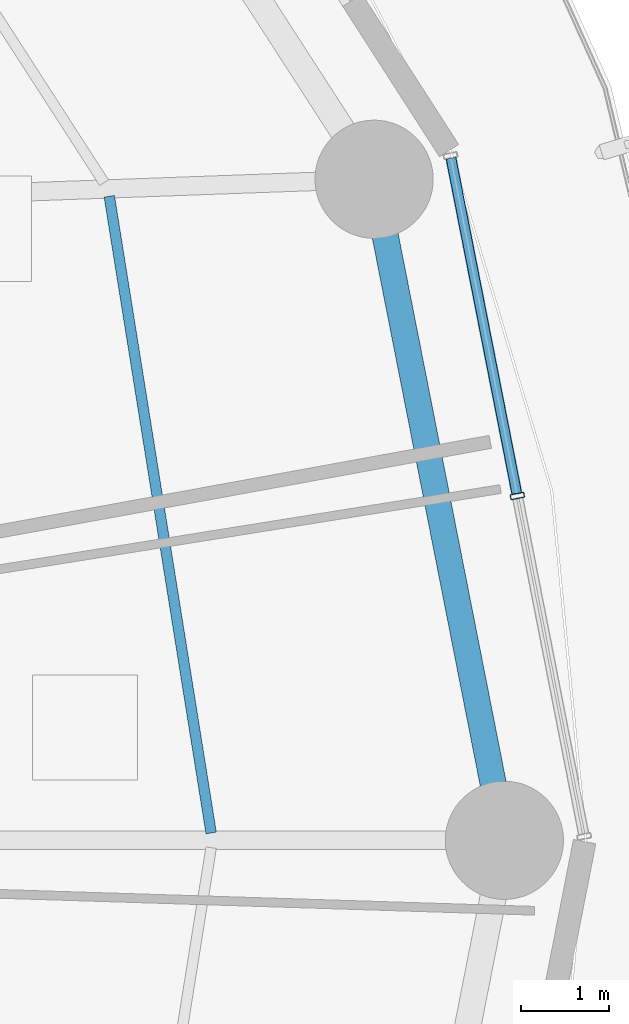
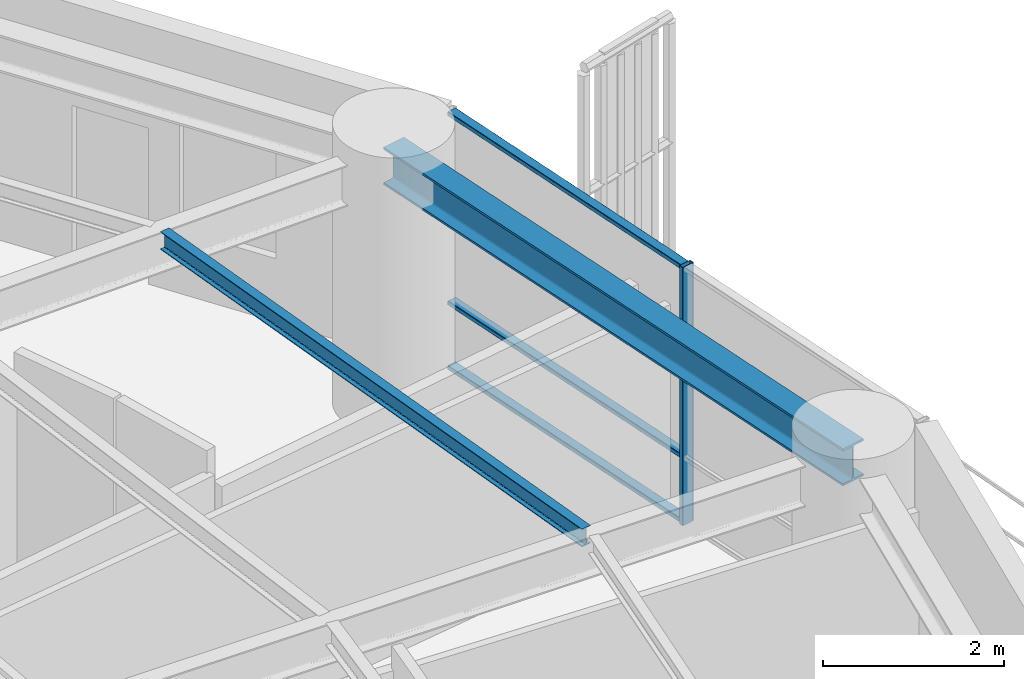
# One storey, part 14 of 33: 4 members, 2 beams, 1 element without a shape of its own.
"""IFC4 building model written with IfcOpenShell, lengths in metres."""

import ifcopenshell
import ifcopenshell.guid

model = None  # the IFC model being written
_history = None  # IfcOwnerHistory: only IFC2X3 demands one
_inside = {}  # id of a spatial element -> (the spatial element, [elements in it])
_under = {}  # id of a project, library or spatial element -> (it, [spatial elements below it])
_declared = {}  # id of a project -> (the project, [libraries it declares])
_typed = {}  # id of a type object -> (the type object, [elements of that type])
_made_of = {}  # id of a material, layer set ... -> (it, [elements and type objects made of it])


def new_model(schema):
    """Start an empty IFC model of exactly this schema.

    Asked for "IFC4X3", IfcOpenShell would pick the latest addendum, in which some entities
    have other attributes; the version numbers below select the first issue.
    IFC2X3 requires an IfcOwnerHistory on every rooted entity: one is made here for all.
    """
    global model, _history
    if schema == "IFC4X3":
        model = ifcopenshell.file(schema_version=(4, 3, 0, 0))
    else:
        model = ifcopenshell.file(schema=schema)
    _inside.clear()
    _under.clear()
    _declared.clear()
    _typed.clear()
    _made_of.clear()
    _history = None
    if model.schema == "IFC2X3":
        org = make("IfcOrganization", Name="unknown")
        user = make(
            "IfcPersonAndOrganization",
            ThePerson=make("IfcPerson", FamilyName="unknown"),
            TheOrganization=org,
        )
        app = make(
            "IfcApplication",
            ApplicationDeveloper=org,
            Version="unknown",
            ApplicationFullName="unknown",
            ApplicationIdentifier="unknown",
        )
        _history = make(
            "IfcOwnerHistory",
            OwningUser=user,
            OwningApplication=app,
            ChangeAction="ADDED",
            CreationDate=0,
        )
    return model


def make(cls, **values):
    """One entity of the class cls with the attributes given. An attribute that is None is left unset."""
    return model.create_entity(
        cls, **{name: value for name, value in values.items() if value is not None}
    )


def rooted(cls, **values):
    """An entity with a GlobalId (a new one), such as an element, a storey or a relation."""
    return make(cls, GlobalId=ifcopenshell.guid.new(), OwnerHistory=_history, **values)


def si_unit(unit_type, name, prefix=None):
    """IfcSIUnit, for example si_unit("LENGTHUNIT", "METRE", prefix="MILLI")."""
    return make("IfcSIUnit", UnitType=unit_type, Prefix=prefix, Name=name)


def assignment(units):
    """IfcUnitAssignment: the units of a project."""
    return None if units is None else make("IfcUnitAssignment", Units=units)


def point(xyz):
    """IfcCartesianPoint."""
    return None if xyz is None else make("IfcCartesianPoint", Coordinates=xyz)


def direction(xyz):
    """IfcDirection."""
    return None if xyz is None else make("IfcDirection", DirectionRatios=xyz)


def frame(location, z_axis=None, x_axis=None):
    """IfcAxis2Placement3D, a coordinate frame: its origin and axes. An axis left out is left unset."""
    return make(
        "IfcAxis2Placement3D",
        Location=point(location),
        Axis=direction(z_axis),
        RefDirection=direction(x_axis),
    )


def frame_2d(location, x_axis=None):
    """IfcAxis2Placement2D, a coordinate frame in the plane: its origin and x axis."""
    return make(
        "IfcAxis2Placement2D", Location=point(location), RefDirection=direction(x_axis)
    )


def origin():
    """The frame at (0, 0, 0) with its axes left unset."""
    return frame((0.0, 0.0, 0.0))


def origin_2d():
    """The frame at (0, 0) in the plane with its x axis left unset."""
    return frame_2d((0.0, 0.0))


def place(relative_to, where):
    """IfcLocalPlacement: puts the frame where relative to a parent placement (None: the world)."""
    return make(
        "IfcLocalPlacement", PlacementRelTo=relative_to, RelativePlacement=where
    )


def context(
    kind, dimensions, precision=None, world=None, true_north=None, identifier=None
):
    """IfcGeometricRepresentationContext, for example the 3D "Model" context."""
    return make(
        "IfcGeometricRepresentationContext",
        ContextIdentifier=identifier,
        ContextType=kind,
        CoordinateSpaceDimension=dimensions,
        Precision=precision,
        WorldCoordinateSystem=world,
        TrueNorth=true_north,
    )


def subcontext(parent, identifier, kind, view, scale=None):
    """IfcGeometricRepresentationSubContext, for example "Body" below "Model"."""
    return make(
        "IfcGeometricRepresentationSubContext",
        ContextIdentifier=identifier,
        ContextType=kind,
        ParentContext=parent,
        TargetScale=scale,
        TargetView=view,
    )


def project(units=None, contexts=None):
    """IfcProject with its units and contexts."""
    return rooted(
        "IfcProject",
        Name="project",
        RepresentationContexts=contexts,
        UnitsInContext=assignment(units),
    )


def spatial(cls, under=None, at=None, **own):
    """A site, building, storey or space (cls), placed at a placement, below another one or the project."""
    s = rooted(cls, ObjectPlacement=at, **own)
    if under is not None:
        _under.setdefault(under.id(), (under, []))[1].append(s)
    return s


def profile(cls, at=None, kind="AREA", **sizes):
    """A parametric profile (cls). Its sizes go by their IFC names, for example OverallWidth=200.0."""
    return make(cls, ProfileType=kind, Position=at, **sizes)


def hollow_rectangle(**sizes):
    """IfcRectangleHollowProfileDef."""
    return profile("IfcRectangleHollowProfileDef", **sizes)


def i_section(**sizes):
    """IfcIShapeProfileDef."""
    return profile("IfcIShapeProfileDef", **sizes)


def extrude(swept, where, along, depth):
    """IfcExtrudedAreaSolid: the profile swept, set in the frame where, extruded along a direction by depth."""
    return make(
        "IfcExtrudedAreaSolid",
        SweptArea=swept,
        Position=where,
        ExtrudedDirection=direction(along),
        Depth=depth,
    )


def shape(context_of_items, identifier, shape_type, items):
    """IfcShapeRepresentation: the items that make up one representation, for example the "Body"."""
    return make(
        "IfcShapeRepresentation",
        ContextOfItems=context_of_items,
        RepresentationIdentifier=identifier,
        RepresentationType=shape_type,
        Items=items,
    )


def material(Name=None, Category=None):
    """IfcMaterial."""
    return make("IfcMaterial", Name=Name, Category=Category)


def layer(
    of_material, thickness, ventilated=None, Name=None, Category=None, Priority=None
):
    """IfcMaterialLayer: one layer of a wall or slab, of a material (None: an air gap)."""
    return make(
        "IfcMaterialLayer",
        Material=of_material,
        LayerThickness=thickness,
        IsVentilated=ventilated,
        Name=Name,
        Category=Category,
        Priority=Priority,
    )


def layer_set(layers, Name=None):
    """IfcMaterialLayerSet."""
    return make("IfcMaterialLayerSet", MaterialLayers=layers, LayerSetName=Name)


def material_profile(
    of_material, cross_section, Name=None, Category=None, Priority=None
):
    """IfcMaterialProfile: a cross section and its material."""
    return make(
        "IfcMaterialProfile",
        Name=Name,
        Material=of_material,
        Profile=cross_section,
        Priority=Priority,
        Category=Category,
    )


def profile_set(profiles, Name=None, composite=None):
    """IfcMaterialProfileSet."""
    return make(
        "IfcMaterialProfileSet",
        Name=Name,
        MaterialProfiles=profiles,
        CompositeProfile=composite,
    )


def made_of(thing, what):
    """Note that an element or type object is made of a material, layer set ...; save() writes the relation."""
    if what is not None:
        _made_of.setdefault(what.id(), (what, []))[1].append(thing)
    return thing


def type_object(cls, material=None, **own):
    """A type object (cls), such as IfcWallType, which elements share."""
    return made_of(rooted(cls, **own), material)


def element(
    cls,
    number,
    at=None,
    inside=None,
    cuts=None,
    type_object=None,
    material=None,
    context=None,
    identifier="Body",
    shape_type=None,
    held_by="IfcProductDefinitionShape",
    body=None,
    shapes=None,
    **own,
):
    """One element of the class cls, such as IfcWall. Its Tag is "e" and its number.

    at: its placement. inside: the storey or other place that contains it. cuts: it is an
    opening in that element (IfcRelVoidsElement). A single representation is given by context,
    identifier, shape_type and body (its items); several are given by shapes. held_by: the class
    of the entity that holds the representations. save() writes the other relations.
    """
    e = rooted(cls, Tag="e%d" % number, ObjectPlacement=at, **own)
    if body is not None:
        shapes = [shape(context, identifier, shape_type, body)]
    if shapes is not None:
        e.Representation = make(held_by, Representations=shapes)
    if inside is not None:
        _inside.setdefault(inside.id(), (inside, []))[1].append(e)
    if cuts is not None:
        rooted(
            "IfcRelVoidsElement", RelatingBuildingElement=cuts, RelatedOpeningElement=e
        )
    if type_object is not None:
        _typed.setdefault(type_object.id(), (type_object, []))[1].append(e)
    return made_of(e, material)


def aggregate(whole, parts):
    """IfcRelAggregates: a whole, such as a stair, and the parts it consists of."""
    return rooted("IfcRelAggregates", RelatingObject=whole, RelatedObjects=parts)


def save(model, path):
    """Write the relations noted so far, then the file.

    IfcRelAggregates (storeys below a building ...), IfcRelContainedInSpatialStructure (elements
    in a storey), IfcRelDefinesByType, IfcRelAssociatesMaterial and IfcRelDeclares: one each for
    every whole, place, type object, material and project.
    """
    for whole, parts in _under.values():
        aggregate(whole, parts)
    for where, things in _inside.values():
        rooted(
            "IfcRelContainedInSpatialStructure",
            RelatedElements=things,
            RelatingStructure=where,
        )
    for kind, things in _typed.values():
        rooted("IfcRelDefinesByType", RelatedObjects=things, RelatingType=kind)
    for what, things in _made_of.values():
        rooted("IfcRelAssociatesMaterial", RelatedObjects=things, RelatingMaterial=what)
    for by, libraries in _declared.values():
        rooted("IfcRelDeclares", RelatingContext=by, RelatedDefinitions=libraries)
    model.write(path)


model = new_model("IFC4")

# Units and contexts
model_context = context("Model", 3, precision=1e-05, world=origin(), true_north=direction((0.0, 1.0)))
body_context = subcontext(model_context, "Body", "Model", "MODEL_VIEW")
ifc_project = project(units=[si_unit("LENGTHUNIT", "METRE"), si_unit("AREAUNIT", "SQUARE_METRE"), si_unit("VOLUMEUNIT", "CUBIC_METRE"), si_unit("PLANEANGLEUNIT", "RADIAN"), si_unit("MASSUNIT", "GRAM", prefix="KILO")], contexts=[model_context])

# Site, building, storey
site_placement = place(None, origin())
site = spatial("IfcSite", under=ifc_project, at=site_placement, CompositionType="ELEMENT")
building_placement = place(site_placement, origin())
building = spatial("IfcBuilding", under=site, at=building_placement, Name="Kelanora Arch Commons", CompositionType="ELEMENT")
storey_placement = place(building_placement, frame((0.0, 0.0, 80.10009765625)))
storey = spatial("IfcBuildingStorey", under=building, at=storey_placement, Name="L20", CompositionType="ELEMENT", Elevation=80.10009765625)

# Beams
ifc_material_1 = material(Name="Steel S355", Category="steel")
ifc_material_profile_1 = material_profile(ifc_material_1, i_section(OverallWidth=0.1201171875, OverallDepth=0.239990234375, WebThickness=0.006103515625, FlangeThickness=0.009765625, FilletRadius=0.014892578125, at=origin_2d()), Name="IPE240")
ifc_profile_set_1 = profile_set([ifc_material_profile_1], Name="Steel S355")
beam_type_1 = type_object("IfcBeamType", Name="BM-JST-02", PredefinedType="JOIST", material=ifc_profile_set_1)
beam_1_placement = place(storey_placement, frame((95.33056640625, 58.083984375, 3.369873046875), z_axis=(-0.157999549894, 0.987439184068, 0.0), x_axis=(-0.987439184068, -0.157999549894, 0.0)))
element("IfcBeam", 1, at=beam_1_placement, inside=storey, type_object=beam_type_1, Name="Secondary Chord Joist BJC-00 L20", PredefinedType="JOIST", context=body_context, shape_type="SweptSolid", body=[
    extrude(i_section(OverallWidth=0.1201171875, OverallDepth=0.239990234375, WebThickness=0.006103515625, FlangeThickness=0.009765625, FilletRadius=0.014892578125, at=origin_2d()), origin(), (0.0, 0.0, 1.0), 7.365966796875),
])
ifc_material_profile_2 = material_profile(ifc_material_1, i_section(OverallWidth=0.300048828125, OverallDepth=0.5, WebThickness=0.014404296875, FlangeThickness=0.028076171875, FilletRadius=0.027099609375, at=origin_2d()), Name="HEB500")
ifc_profile_set_2 = profile_set([ifc_material_profile_2], Name="Steel S355")
beam_type_2 = type_object("IfcBeamType", Name="BM-SPN-Z2", PredefinedType="SPANDREL", material=ifc_profile_set_2)
beam_2_placement = place(storey_placement, frame((98.679931640625, 58.0, 3.239990234375), z_axis=(-0.19335825777, 0.981128220037, 0.0), x_axis=(-0.981128220037, -0.19335825777, 0.0)))
element("IfcBeam", 2, at=beam_2_placement, inside=storey, type_object=beam_type_2, Name="Perimeter Spandrel Beam BS-00 L20", PredefinedType="SPANDREL", context=body_context, shape_type="SweptSolid", body=[
    extrude(i_section(OverallWidth=0.300048828125, OverallDepth=0.5, WebThickness=0.014404296875, FlangeThickness=0.028076171875, FilletRadius=0.027099609375, at=origin_2d()), origin(), (0.0, 0.0, 1.0), 7.697021484375),
])

# Curtain wall, members
ifc_material_2 = material(Name="Terracotta ceramic-fritted low-E glass and aluminium", Category="masonry")
ifc_layer = layer(ifc_material_2, 0.159912109375)
ifc_layer_set = layer_set([ifc_layer], Name="Terracotta ceramic-fritted low-E glass and aluminium")
curtain_wall_type = type_object("IfcCurtainWallType", Name="CW-SYS-01", PredefinedType="NOTDEFINED", material=ifc_layer_set)
curtain_wall_placement = place(storey_placement, origin())
curtain_wall = element("IfcCurtainWall", 3, at=curtain_wall_placement, inside=storey, type_object=curtain_wall_type, Name="Unitised Curtain Wall L20-B00", PredefinedType="NOTDEFINED")
ifc_material_3 = material(Name="Powder-coated aluminium terracotta", Category="masonry")
ifc_material_profile_3 = material_profile(ifc_material_3, hollow_rectangle(XDim=0.159912109375, YDim=0.06005859375, WallThickness=0.0048828125, InnerFilletRadius=0.0048828125, OuterFilletRadius=0.010009765625, at=origin_2d()), Name="CWM160x60")
ifc_profile_set_3 = profile_set([ifc_material_profile_3], Name="Powder-coated aluminium terracotta")
member_type_1 = type_object("IfcMemberType", Name="CWM-STD", PredefinedType="MULLION", material=ifc_profile_set_3)
member_1_placement = place(storey_placement, frame((98.828125, 61.933349609375, 0.0), z_axis=(0.0, 0.0, 1.0), x_axis=(-0.981280311646, -0.192584916272, 0.0)))
member_1 = element("IfcMember", 4, at=member_1_placement, type_object=member_type_1, Name="CW-01 mullion 2", PredefinedType="MULLION", context=body_context, shape_type="SweptSolid", body=[
    extrude(hollow_rectangle(XDim=0.159912109375, YDim=0.06005859375, WallThickness=0.0048828125, InnerFilletRadius=0.0048828125, OuterFilletRadius=0.010009765625, at=origin_2d()), origin(), (0.0, 0.0, 1.0), 3.474853515625),
])
ifc_material_profile_4 = material_profile(ifc_material_3, hollow_rectangle(XDim=0.1201171875, YDim=0.06005859375, WallThickness=0.0048828125, InnerFilletRadius=0.0048828125, OuterFilletRadius=0.010009765625, at=origin_2d()), Name="CWT120x60")
ifc_profile_set_4 = profile_set([ifc_material_profile_4], Name="Powder-coated aluminium terracotta")
member_type_2 = type_object("IfcMemberType", Name="CWT-STD", PredefinedType="USERDEFINED", material=ifc_profile_set_4)
member_2_placement = place(storey_placement, frame((98.822265625, 61.962646484375, 0.02978515625), z_axis=(-0.192578614785, 0.981281548348, 0.0), x_axis=(-0.981281548348, -0.192578614785, 0.0)))
member_2 = element("IfcMember", 5, at=member_2_placement, type_object=member_type_2, Name="CW-01 transom 2.1", ObjectType="TRANSOM", PredefinedType="USERDEFINED", context=body_context, shape_type="SweptSolid", body=[
    extrude(hollow_rectangle(XDim=0.1201171875, YDim=0.06005859375, WallThickness=0.0048828125, InnerFilletRadius=0.0048828125, OuterFilletRadius=0.010009765625, at=origin_2d()), origin(), (0.0, 0.0, 1.0), 3.9033203125),
])
member_3_placement = place(storey_placement, frame((98.822265625, 61.962646484375, 0.89990234375), z_axis=(-0.192578614785, 0.981281548348, 0.0), x_axis=(-0.981281548348, -0.192578614785, 0.0)))
member_3 = element("IfcMember", 6, at=member_3_placement, type_object=member_type_2, Name="CW-01 transom 2.2", ObjectType="TRANSOM", PredefinedType="USERDEFINED", context=body_context, shape_type="SweptSolid", body=[
    extrude(hollow_rectangle(XDim=0.1201171875, YDim=0.06005859375, WallThickness=0.0048828125, InnerFilletRadius=0.0048828125, OuterFilletRadius=0.010009765625, at=origin_2d()), origin(), (0.0, 0.0, 1.0), 3.9033203125),
])
member_4_placement = place(storey_placement, frame((98.822265625, 61.962646484375, 3.44482421875), z_axis=(-0.192578614785, 0.981281548348, 0.0), x_axis=(-0.981281548348, -0.192578614785, 0.0)))
member_4 = element("IfcMember", 7, at=member_4_placement, type_object=member_type_2, Name="CW-01 transom 2.3", ObjectType="TRANSOM", PredefinedType="USERDEFINED", context=body_context, shape_type="SweptSolid", body=[
    extrude(hollow_rectangle(XDim=0.1201171875, YDim=0.06005859375, WallThickness=0.0048828125, InnerFilletRadius=0.0048828125, OuterFilletRadius=0.010009765625, at=origin_2d()), origin(), (0.0, 0.0, 1.0), 3.9033203125),
])
aggregate(curtain_wall, [member_1, member_2, member_3, member_4])

save(model, "model.ifc")
